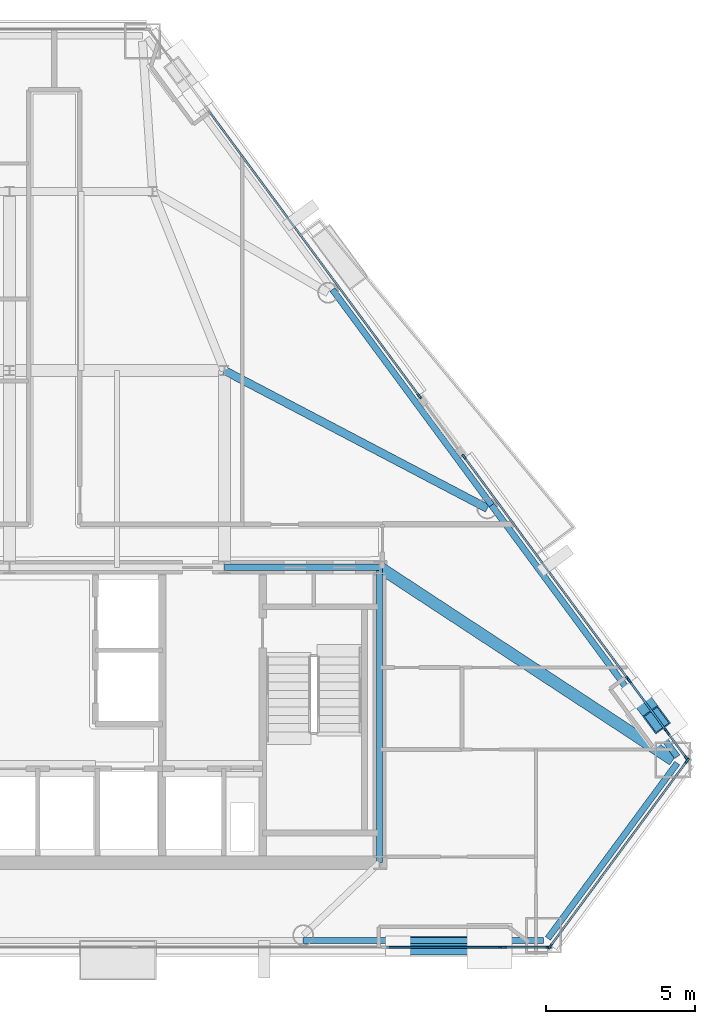
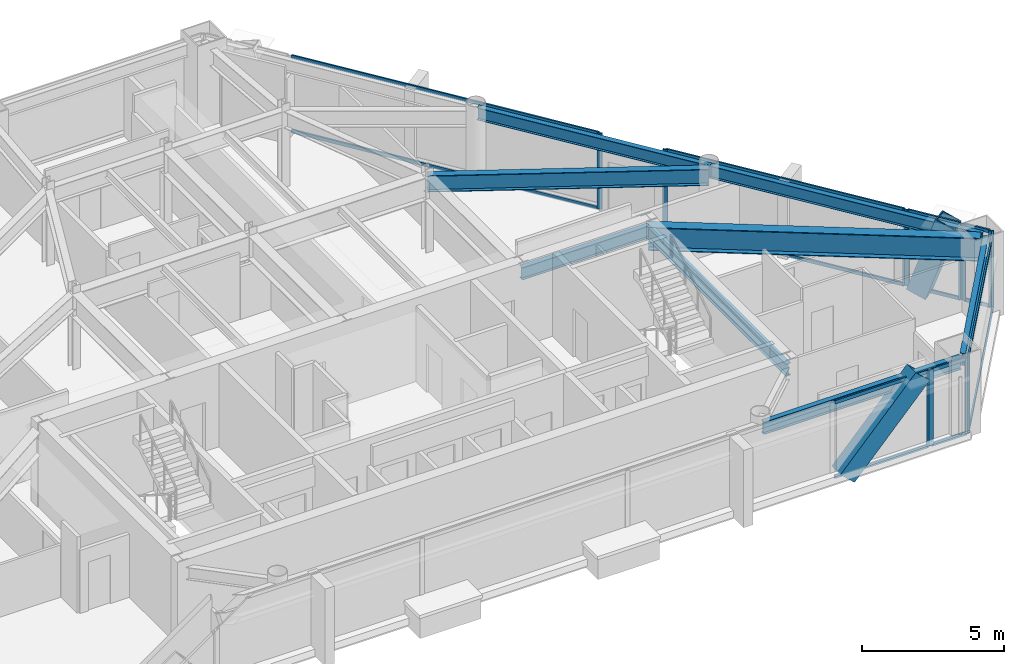
# One storey, part 6 of 12: 28 members, 8 beams, 7 elements without a shape of their own.
"""IFC4 building model written with IfcOpenShell, lengths in metres."""

from ifc_helpers import new_model, si_unit, direction, frame, origin, origin_2d, place, context, subcontext, project, spatial, rectangle, hollow_rectangle, i_section, extrude, material, layer, layer_set, material_profile, profile_set, type_object, element, aggregate, save


model = new_model("IFC4")

# Units and contexts
model_context = context("Model", 3, precision=1e-05, world=origin(), true_north=direction((0.0, 1.0)))
body_context = subcontext(model_context, "Body", "Model", "MODEL_VIEW")
ifc_project = project(units=[si_unit("LENGTHUNIT", "METRE"), si_unit("AREAUNIT", "SQUARE_METRE"), si_unit("VOLUMEUNIT", "CUBIC_METRE"), si_unit("PLANEANGLEUNIT", "RADIAN"), si_unit("MASSUNIT", "GRAM", prefix="KILO")], contexts=[model_context])

# Site, building, storey
site_placement = place(None, origin())
site = spatial("IfcSite", under=ifc_project, at=site_placement, CompositionType="ELEMENT")
building_placement = place(site_placement, origin())
building = spatial("IfcBuilding", under=site, at=building_placement, Name="Talgorran Terracotta Tower", CompositionType="ELEMENT")
storey_placement = place(building_placement, frame((0.0, 0.0, 165.300048828125)))
storey = spatial("IfcBuildingStorey", under=building, at=storey_placement, Name="L43", CompositionType="ELEMENT", Elevation=165.300048828125)

# Beams
ifc_material_1 = material(Name="Steel Grade 350 (350L0)", Category="steel")
ifc_material_profile_1 = material_profile(ifc_material_1, i_section(OverallWidth=0.39990234375, OverallDepth=1.0, WebThickness=0.01611328125, FlangeThickness=0.031005859375, at=origin_2d()), Name="1000WB296")
ifc_profile_set_1 = profile_set([ifc_material_profile_1], Name="Steel Grade 350 (350L0)")
beam_type_1 = type_object("IfcBeamType", Name="BM_1000WB296", PredefinedType="BEAM", material=ifc_profile_set_1)
beam_1_placement = place(storey_placement, frame((12.39990234375, -4.199951171875, 2.780029296875), z_axis=(0.836013696093, -0.548708574696, 0.0), x_axis=(0.548708574696, 0.836013696093, 0.0)))
element("IfcBeam", 1, at=beam_1_placement, inside=storey, type_object=beam_type_1, Name="L43 Floor Girder G18", PredefinedType="BEAM", context=body_context, shape_type="SweptSolid", body=[
    extrude(i_section(OverallWidth=0.39990234375, OverallDepth=1.0, WebThickness=0.01611328125, FlangeThickness=0.031005859375, at=origin_2d()), origin(), (0.0, 0.0, 1.0), 11.76318359375),
])
ifc_material_2 = material(Name="Steel S355 (300PLUS)", Category="steel")
ifc_material_profile_2 = material_profile(ifc_material_2, i_section(OverallWidth=0.27490234375, OverallDepth=0.7080078125, WebThickness=0.011962890625, FlangeThickness=0.02490234375, at=origin_2d()), Name="700WB173")
ifc_profile_set_2 = profile_set([ifc_material_profile_2], Name="Steel S355 (300PLUS)")
beam_type_2 = type_object("IfcBeamType", Name="BM_700WB173", PredefinedType="BEAM", material=ifc_profile_set_2)
beam_2_placement = place(storey_placement, frame((7.199951171875, 2.39990234375, 2.926025390625), z_axis=(0.885527866822, -0.464586264414, 0.0), x_axis=(0.464586264414, 0.885527866822, 0.0)))
element("IfcBeam", 2, at=beam_2_placement, inside=storey, type_object=beam_type_2, Name="L43 Floor Girder G07", PredefinedType="BEAM", context=body_context, shape_type="SweptSolid", body=[
    extrude(i_section(OverallWidth=0.27490234375, OverallDepth=0.7080078125, WebThickness=0.011962890625, FlangeThickness=0.02490234375, at=origin_2d()), origin(), (0.0, 0.0, 1.0), 9.951416015625),
])
ifc_material_profile_3 = material_profile(ifc_material_2, i_section(OverallWidth=0.209228515625, OverallDepth=0.532958984375, WebThickness=0.01025390625, FlangeThickness=0.015625, at=origin_2d()), Name="530UB92.4")
ifc_profile_set_3 = profile_set([ifc_material_profile_3], Name="Steel S355 (300PLUS)")
beam_type_3 = type_object("IfcBeamType", Name="BM_SP_530UB92", PredefinedType="SPANDREL", material=ifc_profile_set_3)
beam_3_placement = place(storey_placement, frame((9.843994140625, -16.7099609375, 3.013427734375), z_axis=(1.0, 0.0, 0.0), x_axis=(0.0, 1.0, 0.0)))
element("IfcBeam", 3, at=beam_3_placement, inside=storey, type_object=beam_type_3, Name="L43 Perimeter Spandrel Beam FC2-MC3", PredefinedType="SPANDREL", context=body_context, shape_type="SweptSolid", body=[
    extrude(i_section(OverallWidth=0.209228515625, OverallDepth=0.532958984375, WebThickness=0.01025390625, FlangeThickness=0.015625, at=origin_2d()), origin(), (0.0, 0.0, 1.0), 8.05419921875),
])
beam_4_placement = place(storey_placement, frame((18.043212890625, -16.636962890625, 3.013427734375), z_axis=(0.593765719161, 0.804637974961, 0.0), x_axis=(-0.804637974961, 0.593765719161, 0.0)))
element("IfcBeam", 4, at=beam_4_placement, inside=storey, type_object=beam_type_3, Name="L43 Perimeter Spandrel Beam MC3-MC4", PredefinedType="SPANDREL", context=body_context, shape_type="SweptSolid", body=[
    extrude(i_section(OverallWidth=0.209228515625, OverallDepth=0.532958984375, WebThickness=0.01025390625, FlangeThickness=0.015625, at=origin_2d()), origin(), (0.0, 0.0, 1.0), 7.302001953125),
])
beam_5_placement = place(storey_placement, frame((22.37890625, -10.547607421875, 3.013427734375), z_axis=(-0.593786218479, 0.804622847516, 0.0), x_axis=(-0.804622847516, -0.593786218479, 0.0)))
element("IfcBeam", 5, at=beam_5_placement, inside=storey, type_object=beam_type_3, Name="L43 Perimeter Spandrel Beam MC4-FC3", PredefinedType="SPANDREL", context=body_context, shape_type="SweptSolid", body=[
    extrude(i_section(OverallWidth=0.209228515625, OverallDepth=0.532958984375, WebThickness=0.01025390625, FlangeThickness=0.015625, at=origin_2d()), origin(), (0.0, 0.0, 1.0), 10.478271484375),
])
beam_6_placement = place(storey_placement, frame((16.156982421875, -2.116455078125, 3.013427734375), z_axis=(-0.593775624387, 0.804630665513, 0.0), x_axis=(-0.804630665513, -0.593775624387, 0.0)))
element("IfcBeam", 6, at=beam_6_placement, inside=storey, type_object=beam_type_3, Name="L43 Perimeter Spandrel Beam FC3-FC4", PredefinedType="SPANDREL", context=body_context, shape_type="SweptSolid", body=[
    extrude(i_section(OverallWidth=0.209228515625, OverallDepth=0.532958984375, WebThickness=0.01025390625, FlangeThickness=0.015625, at=origin_2d()), origin(), (0.0, 0.0, 1.0), 8.9814453125),
])
beam_7_placement = place(storey_placement, frame((12.39990234375, -14.10009765625, 3.013427734375), z_axis=(0.0, 1.0, 0.0), x_axis=(-1.0, 0.0, 0.0)))
element("IfcBeam", 7, at=beam_7_placement, inside=storey, type_object=beam_type_3, Name="L43 Core Frame Beam CFE", PredefinedType="SPANDREL", context=body_context, shape_type="SweptSolid", body=[
    extrude(i_section(OverallWidth=0.209228515625, OverallDepth=0.532958984375, WebThickness=0.01025390625, FlangeThickness=0.015625, at=origin_2d()), origin(), (0.0, 0.0, 1.0), 9.900146484375),
])
beam_8_placement = place(storey_placement, frame((7.199951171875, -4.199951171875, 3.013427734375), z_axis=(1.0, 0.0, 0.0), x_axis=(0.0, 1.0, 0.0)))
element("IfcBeam", 8, at=beam_8_placement, inside=storey, type_object=beam_type_3, Name="L43 Core Frame Beam CFN4", PredefinedType="SPANDREL", context=body_context, shape_type="SweptSolid", body=[
    extrude(i_section(OverallWidth=0.209228515625, OverallDepth=0.532958984375, WebThickness=0.01025390625, FlangeThickness=0.015625, at=origin_2d()), origin(), (0.0, 0.0, 1.0), 5.199951171875),
])

# Members
ifc_material_profile_4 = material_profile(ifc_material_1, hollow_rectangle(XDim=0.6201171875, YDim=0.780029296875, WallThickness=0.0419921875, at=origin_2d()), Name="WBOX780X620X42")
ifc_profile_set_4 = profile_set([ifc_material_profile_4], Name="Steel Grade 350 (350L0)")
member_type_1 = type_object("IfcMemberType", Name="MB_MEGA_780", PredefinedType="BRACE", material=ifc_profile_set_4)
member_1_placement = place(storey_placement, frame((13.017578125, -16.889892578125, -0.025146484375), z_axis=(0.678257727161, 0.0, 0.73482409837), x_axis=(0.0, 1.0, 0.0)))
element("IfcMember", 9, at=member_1_placement, inside=storey, type_object=member_type_1, Name="L43 Exterior Face Mega-Brace MB-2 (SEF)", PredefinedType="BRACE", context=body_context, shape_type="SweptSolid", body=[
    extrude(hollow_rectangle(XDim=0.6201171875, YDim=0.780029296875, WallThickness=0.0419921875, at=origin_2d()), origin(), (0.0, 0.0, 1.0), 4.53173828125),
])
member_2_placement = place(storey_placement, frame((21.021484375, -8.4052734375, -0.025146484375), z_axis=(0.1899778131, -0.257355684657, 0.947457905189), x_axis=(0.804537023237, 0.593902498935, 0.0)))
element("IfcMember", 10, at=member_2_placement, inside=storey, type_object=member_type_1, Name="L43 Exterior Face Mega-Brace MB-2 (NEL)", PredefinedType="BRACE", context=body_context, shape_type="SweptSolid", body=[
    extrude(hollow_rectangle(XDim=0.6201171875, YDim=0.780029296875, WallThickness=0.0419921875, at=origin_2d()), origin(), (0.0, 0.0, 1.0), 3.5146484375),
])

# Curtain wall, member
ifc_material_3 = material(Name="Unitised Low-E Double Glazing", Category="glass")
ifc_layer = layer(ifc_material_3, 0.199951171875, Name="CW_SYS2_RES_LOW")
ifc_layer_set = layer_set([ifc_layer], Name="Unitised Low-E Double Glazing")
curtain_wall_type = type_object("IfcCurtainWallType", Name="CW_SYS2_RES_LOW", PredefinedType="NOTDEFINED", material=ifc_layer_set)
curtain_wall_1_placement = place(storey_placement, origin())
curtain_wall_1 = element("IfcCurtainWall", 11, at=curtain_wall_1_placement, inside=storey, type_object=curtain_wall_type, Name="CW-L43-F1D", PredefinedType="NOTDEFINED")
ifc_material_4 = material(Name="Architectural Aluminium 6063-T6", Category="aluminium")
ifc_material_profile_5 = material_profile(ifc_material_4, rectangle(XDim=0.06494140625, YDim=0.18505859375, at=origin_2d()), Name="CWM65X185")
ifc_profile_set_5 = profile_set([ifc_material_profile_5], Name="Architectural Aluminium 6063-T6")
member_type_2 = type_object("IfcMemberType", Name="MUL_65X185", PredefinedType="MULLION", material=ifc_profile_set_5)
member_3_placement = place(storey_placement, frame((16.490234375, -16.929931640625, 0.0), z_axis=(0.0, 0.0, 1.0), x_axis=(0.0, 1.0, 0.0)))
member_3 = element("IfcMember", 12, at=member_3_placement, type_object=member_type_2, Name="CW-L43-1D mullion 2", PredefinedType="MULLION", context=body_context, shape_type="SweptSolid", body=[
    extrude(rectangle(XDim=0.06494140625, YDim=0.18505859375, at=origin_2d()), origin(), (0.0, 0.0, 1.0), 3.280029296875),
])

# Curtain wall, members
curtain_wall_2_placement = place(storey_placement, origin())
curtain_wall_2 = element("IfcCurtainWall", 13, at=curtain_wall_2_placement, inside=storey, type_object=curtain_wall_type, Name="CW-L43-F1E", PredefinedType="NOTDEFINED")
member_4_placement = place(storey_placement, frame((16.565185546875, -16.929931640625, 0.0), z_axis=(0.0, 0.0, 1.0), x_axis=(0.0, 1.0, 0.0)))
member_4 = element("IfcMember", 14, at=member_4_placement, type_object=member_type_2, Name="CW-L43-1E mullion 1", PredefinedType="MULLION", context=body_context, shape_type="SweptSolid", body=[
    extrude(rectangle(XDim=0.06494140625, YDim=0.18505859375, at=origin_2d()), origin(), (0.0, 0.0, 1.0), 3.280029296875),
])
member_5_placement = place(storey_placement, frame((18.067626953125, -16.929931640625, 0.0), z_axis=(0.0, 0.0, 1.0), x_axis=(0.0, 1.0, 0.0)))
member_5 = element("IfcMember", 15, at=member_5_placement, type_object=member_type_2, Name="CW-L43-1E mullion 2", PredefinedType="MULLION", context=body_context, shape_type="SweptSolid", body=[
    extrude(rectangle(XDim=0.06494140625, YDim=0.18505859375, at=origin_2d()), origin(), (0.0, 0.0, 1.0), 3.280029296875),
])

curtain_wall_3_placement = place(storey_placement, origin())
curtain_wall_3 = element("IfcCurtainWall", 16, at=curtain_wall_3_placement, inside=storey, type_object=curtain_wall_type, Name="CW-L43-F2", PredefinedType="NOTDEFINED")
member_6_placement = place(storey_placement, frame((18.119384765625, -16.90380859375, 0.0), z_axis=(0.0, 0.0, 1.0), x_axis=(-0.804619586401, 0.593790637498, 0.0)))
member_6 = element("IfcMember", 17, at=member_6_placement, type_object=member_type_2, Name="CW-L43-2 mullion 1", PredefinedType="MULLION", context=body_context, shape_type="SweptSolid", body=[
    extrude(rectangle(XDim=0.06494140625, YDim=0.18505859375, at=origin_2d()), origin(), (0.0, 0.0, 1.0), 3.280029296875),
])
member_7_placement = place(storey_placement, frame((22.7119140625, -10.6806640625, 0.0), z_axis=(0.0, 0.0, 1.0), x_axis=(-0.804619586401, 0.593790637498, 0.0)))
member_7 = element("IfcMember", 18, at=member_7_placement, type_object=member_type_2, Name="CW-L43-2 mullion 2", PredefinedType="MULLION", context=body_context, shape_type="SweptSolid", body=[
    extrude(rectangle(XDim=0.06494140625, YDim=0.18505859375, at=origin_2d()), origin(), (0.0, 0.0, 1.0), 3.280029296875),
])

curtain_wall_4_placement = place(storey_placement, origin())
curtain_wall_4 = element("IfcCurtainWall", 19, at=curtain_wall_4_placement, inside=storey, type_object=curtain_wall_type, Name="CW-L43-F40", PredefinedType="NOTDEFINED")
member_8_placement = place(storey_placement, frame((22.688232421875, -10.59619140625, 0.0), z_axis=(0.0, 0.0, 1.0), x_axis=(-0.804602113217, -0.593814313912, 0.0)))
member_8 = element("IfcMember", 20, at=member_8_placement, type_object=member_type_2, Name="CW-L43-40 mullion 1", PredefinedType="MULLION", context=body_context, shape_type="SweptSolid", body=[
    extrude(rectangle(XDim=0.06494140625, YDim=0.18505859375, at=origin_2d()), origin(), (0.0, 0.0, 1.0), 3.280029296875),
])
member_9_placement = place(storey_placement, frame((22.052001953125, -9.734375, 0.0), z_axis=(0.0, 0.0, 1.0), x_axis=(-0.804602113217, -0.593814313912, 0.0)))
member_9 = element("IfcMember", 21, at=member_9_placement, type_object=member_type_2, Name="CW-L43-40 mullion 2", PredefinedType="MULLION", context=body_context, shape_type="SweptSolid", body=[
    extrude(rectangle(XDim=0.06494140625, YDim=0.18505859375, at=origin_2d()), origin(), (0.0, 0.0, 1.0), 3.280029296875),
])

curtain_wall_5_placement = place(storey_placement, origin())
curtain_wall_5 = element("IfcCurtainWall", 22, at=curtain_wall_5_placement, inside=storey, type_object=curtain_wall_type, Name="CW-L43-F40B", PredefinedType="NOTDEFINED")
member_10_placement = place(storey_placement, frame((22.007568359375, -9.673828125, 0.0), z_axis=(0.0, 0.0, 1.0), x_axis=(-0.804623738019, -0.593785011781, 0.0)))
member_10 = element("IfcMember", 23, at=member_10_placement, type_object=member_type_2, Name="CW-L43-40B mullion 1", PredefinedType="MULLION", context=body_context, shape_type="SweptSolid", body=[
    extrude(rectangle(XDim=0.06494140625, YDim=0.18505859375, at=origin_2d()), origin(), (0.0, 0.0, 1.0), 3.280029296875),
])
member_11_placement = place(storey_placement, frame((20.767578125, -7.99365234375, 0.0), z_axis=(0.0, 0.0, 1.0), x_axis=(-0.804623738019, -0.593785011781, 0.0)))
member_11 = element("IfcMember", 24, at=member_11_placement, type_object=member_type_2, Name="CW-L43-40B mullion 2", PredefinedType="MULLION", context=body_context, shape_type="SweptSolid", body=[
    extrude(rectangle(XDim=0.06494140625, YDim=0.18505859375, at=origin_2d()), origin(), (0.0, 0.0, 1.0), 3.280029296875),
])

curtain_wall_6_placement = place(storey_placement, origin())
curtain_wall_6 = element("IfcCurtainWall", 25, at=curtain_wall_6_placement, inside=storey, type_object=curtain_wall_type, Name="CW-L43-F40C", PredefinedType="NOTDEFINED")
member_12_placement = place(storey_placement, frame((20.72314453125, -7.933349609375, 0.0), z_axis=(0.0, 0.0, 1.0), x_axis=(-0.804619046643, -0.593791368899, 0.0)))
member_12 = element("IfcMember", 26, at=member_12_placement, type_object=member_type_2, Name="CW-L43-40C mullion 1", PredefinedType="MULLION", context=body_context, shape_type="SweptSolid", body=[
    extrude(rectangle(XDim=0.06494140625, YDim=0.18505859375, at=origin_2d()), origin(), (0.0, 0.0, 1.0), 3.280029296875),
])
member_13_placement = place(storey_placement, frame((15.23388671875, -0.4951171875, 0.0), z_axis=(0.0, 0.0, 1.0), x_axis=(-0.804619046643, -0.593791368899, 0.0)))
member_13 = element("IfcMember", 27, at=member_13_placement, type_object=member_type_2, Name="CW-L43-40C mullion 2", PredefinedType="MULLION", context=body_context, shape_type="SweptSolid", body=[
    extrude(rectangle(XDim=0.06494140625, YDim=0.18505859375, at=origin_2d()), origin(), (0.0, 0.0, 1.0), 3.280029296875),
])

# Curtain wall, member
curtain_wall_7_placement = place(storey_placement, origin())
curtain_wall_7 = element("IfcCurtainWall", 28, at=curtain_wall_7_placement, inside=storey, type_object=curtain_wall_type, Name="CW-L43-F41", PredefinedType="NOTDEFINED")
member_14_placement = place(storey_placement, frame((13.734619140625, 1.53662109375, 0.0), z_axis=(0.0, 0.0, 1.0), x_axis=(-0.804624135428, -0.593784473262, 0.0)))
member_14 = element("IfcMember", 29, at=member_14_placement, type_object=member_type_2, Name="CW-L43-41 mullion 1", PredefinedType="MULLION", context=body_context, shape_type="SweptSolid", body=[
    extrude(rectangle(XDim=0.06494140625, YDim=0.18505859375, at=origin_2d()), origin(), (0.0, 0.0, 1.0), 3.280029296875),
])

# Member
ifc_material_profile_6 = material_profile(ifc_material_4, rectangle(XDim=0.06494140625, YDim=0.14990234375, at=origin_2d()), Name="CWT65X150")
ifc_profile_set_6 = profile_set([ifc_material_profile_6], Name="Architectural Aluminium 6063-T6")
member_type_3 = type_object("IfcMemberType", Name="TRN_65X150", PredefinedType="USERDEFINED", material=ifc_profile_set_6)
member_15_placement = place(storey_placement, frame((12.65087890625, -16.929931640625, 0.032470703125), z_axis=(1.0, 0.0, 0.0), x_axis=(0.0, 1.0, 0.0)))
member_15 = element("IfcMember", 30, at=member_15_placement, type_object=member_type_3, Name="CW-L43-1D transom 1.1", ObjectType="TRANSOM", PredefinedType="USERDEFINED", context=body_context, shape_type="SweptSolid", body=[
    extrude(rectangle(XDim=0.06494140625, YDim=0.14990234375, at=origin_2d()), origin(), (0.0, 0.0, 1.0), 3.806884765625),
])

member_16_placement = place(storey_placement, frame((12.65087890625, -16.929931640625, 3.24755859375), z_axis=(1.0, 0.0, 0.0), x_axis=(0.0, 1.0, 0.0)))
member_16 = element("IfcMember", 31, at=member_16_placement, type_object=member_type_3, Name="CW-L43-1D transom 1.2", ObjectType="TRANSOM", PredefinedType="USERDEFINED", context=body_context, shape_type="SweptSolid", body=[
    extrude(rectangle(XDim=0.06494140625, YDim=0.14990234375, at=origin_2d()), origin(), (0.0, 0.0, 1.0), 3.806884765625),
])

aggregate(curtain_wall_1, [member_3, member_15, member_16])

member_17_placement = place(storey_placement, frame((16.597900390625, -16.929931640625, 0.032470703125), z_axis=(1.0, 0.0, 0.0), x_axis=(0.0, 1.0, 0.0)))
member_17 = element("IfcMember", 32, at=member_17_placement, type_object=member_type_3, Name="CW-L43-1E transom 1.1", ObjectType="TRANSOM", PredefinedType="USERDEFINED", context=body_context, shape_type="SweptSolid", body=[
    extrude(rectangle(XDim=0.06494140625, YDim=0.14990234375, at=origin_2d()), origin(), (0.0, 0.0, 1.0), 1.437255859375),
])

member_18_placement = place(storey_placement, frame((16.597900390625, -16.929931640625, 3.24755859375), z_axis=(1.0, 0.0, 0.0), x_axis=(0.0, 1.0, 0.0)))
member_18 = element("IfcMember", 33, at=member_18_placement, type_object=member_type_3, Name="CW-L43-1E transom 1.2", ObjectType="TRANSOM", PredefinedType="USERDEFINED", context=body_context, shape_type="SweptSolid", body=[
    extrude(rectangle(XDim=0.06494140625, YDim=0.14990234375, at=origin_2d()), origin(), (0.0, 0.0, 1.0), 1.437255859375),
])

aggregate(curtain_wall_2, [member_4, member_5, member_17, member_18])

member_19_placement = place(storey_placement, frame((18.138916015625, -16.877685546875, 0.032470703125), z_axis=(0.593767901325, 0.804636364674, 0.0), x_axis=(-0.804636364674, 0.593767901325, 0.0)))
member_19 = element("IfcMember", 34, at=member_19_placement, type_object=member_type_3, Name="CW-L43-2 transom 1.1", ObjectType="TRANSOM", PredefinedType="USERDEFINED", context=body_context, shape_type="SweptSolid", body=[
    extrude(rectangle(XDim=0.06494140625, YDim=0.14990234375, at=origin_2d()), origin(), (0.0, 0.0, 1.0), 7.669189453125),
])

member_20_placement = place(storey_placement, frame((18.138916015625, -16.877685546875, 3.24755859375), z_axis=(0.593767901325, 0.804636364674, 0.0), x_axis=(-0.804636364674, 0.593767901325, 0.0)))
member_20 = element("IfcMember", 35, at=member_20_placement, type_object=member_type_3, Name="CW-L43-2 transom 1.2", ObjectType="TRANSOM", PredefinedType="USERDEFINED", context=body_context, shape_type="SweptSolid", body=[
    extrude(rectangle(XDim=0.06494140625, YDim=0.14990234375, at=origin_2d()), origin(), (0.0, 0.0, 1.0), 7.669189453125),
])

aggregate(curtain_wall_3, [member_6, member_7, member_19, member_20])

member_21_placement = place(storey_placement, frame((22.6689453125, -10.570068359375, 0.032470703125), z_axis=(-0.593927082715, 0.804518875116, 0.0), x_axis=(-0.804518875116, -0.593927082715, 0.0)))
member_21 = element("IfcMember", 36, at=member_21_placement, type_object=member_type_3, Name="CW-L43-40 transom 1.1", ObjectType="TRANSOM", PredefinedType="USERDEFINED", context=body_context, shape_type="SweptSolid", body=[
    extrude(rectangle(XDim=0.06494140625, YDim=0.14990234375, at=origin_2d()), origin(), (0.0, 0.0, 1.0), 1.00634765625),
])

member_22_placement = place(storey_placement, frame((22.6689453125, -10.570068359375, 3.24755859375), z_axis=(-0.593927082715, 0.804518875116, 0.0), x_axis=(-0.804518875116, -0.593927082715, 0.0)))
member_22 = element("IfcMember", 37, at=member_22_placement, type_object=member_type_3, Name="CW-L43-40 transom 1.2", ObjectType="TRANSOM", PredefinedType="USERDEFINED", context=body_context, shape_type="SweptSolid", body=[
    extrude(rectangle(XDim=0.06494140625, YDim=0.14990234375, at=origin_2d()), origin(), (0.0, 0.0, 1.0), 1.00634765625),
])

aggregate(curtain_wall_4, [member_8, member_9, member_21, member_22])

member_23_placement = place(storey_placement, frame((21.98828125, -9.647705078125, 0.032470703125), z_axis=(-0.593803940269, 0.804609769094, 0.0), x_axis=(-0.804609769094, -0.593803940269, 0.0)))
member_23 = element("IfcMember", 38, at=member_23_placement, type_object=member_type_3, Name="CW-L43-40B transom 1.1", ObjectType="TRANSOM", PredefinedType="USERDEFINED", context=body_context, shape_type="SweptSolid", body=[
    extrude(rectangle(XDim=0.06494140625, YDim=0.14990234375, at=origin_2d()), origin(), (0.0, 0.0, 1.0), 2.023193359375),
])

member_24_placement = place(storey_placement, frame((21.98828125, -9.647705078125, 3.24755859375), z_axis=(-0.593803940269, 0.804609769094, 0.0), x_axis=(-0.804609769094, -0.593803940269, 0.0)))
member_24 = element("IfcMember", 39, at=member_24_placement, type_object=member_type_3, Name="CW-L43-40B transom 1.2", ObjectType="TRANSOM", PredefinedType="USERDEFINED", context=body_context, shape_type="SweptSolid", body=[
    extrude(rectangle(XDim=0.06494140625, YDim=0.14990234375, at=origin_2d()), origin(), (0.0, 0.0, 1.0), 2.023193359375),
])

aggregate(curtain_wall_5, [member_10, member_11, member_23, member_24])

member_25_placement = place(storey_placement, frame((20.703857421875, -7.9072265625, 0.032470703125), z_axis=(-0.593790396315, 0.804619764388, 0.0), x_axis=(-0.804619764388, -0.593790396315, 0.0)))
member_25 = element("IfcMember", 40, at=member_25_placement, type_object=member_type_3, Name="CW-L43-40C transom 1.1", ObjectType="TRANSOM", PredefinedType="USERDEFINED", context=body_context, shape_type="SweptSolid", body=[
    extrude(rectangle(XDim=0.06494140625, YDim=0.14990234375, at=origin_2d()), origin(), (0.0, 0.0, 1.0), 9.179443359375),
])

member_26_placement = place(storey_placement, frame((20.703857421875, -7.9072265625, 3.24755859375), z_axis=(-0.593790396315, 0.804619764388, 0.0), x_axis=(-0.804619764388, -0.593790396315, 0.0)))
member_26 = element("IfcMember", 41, at=member_26_placement, type_object=member_type_3, Name="CW-L43-40C transom 1.2", ObjectType="TRANSOM", PredefinedType="USERDEFINED", context=body_context, shape_type="SweptSolid", body=[
    extrude(rectangle(XDim=0.06494140625, YDim=0.14990234375, at=origin_2d()), origin(), (0.0, 0.0, 1.0), 9.179443359375),
])

aggregate(curtain_wall_6, [member_12, member_13, member_25, member_26])

member_27_placement = place(storey_placement, frame((13.715087890625, 1.562744140625, 0.032470703125), z_axis=(-0.593779554946, 0.80462776495, 0.0), x_axis=(-0.80462776495, -0.593779554946, 0.0)))
member_27 = element("IfcMember", 42, at=member_27_placement, type_object=member_type_3, Name="CW-L43-41 transom 1.1", ObjectType="TRANSOM", PredefinedType="USERDEFINED", context=body_context, shape_type="SweptSolid", body=[
    extrude(rectangle(XDim=0.06494140625, YDim=0.14990234375, at=origin_2d()), origin(), (0.0, 0.0, 1.0), 11.846435546875),
])

member_28_placement = place(storey_placement, frame((13.715087890625, 1.562744140625, 3.24755859375), z_axis=(-0.593779554946, 0.80462776495, 0.0), x_axis=(-0.80462776495, -0.593779554946, 0.0)))
member_28 = element("IfcMember", 43, at=member_28_placement, type_object=member_type_3, Name="CW-L43-41 transom 1.2", ObjectType="TRANSOM", PredefinedType="USERDEFINED", context=body_context, shape_type="SweptSolid", body=[
    extrude(rectangle(XDim=0.06494140625, YDim=0.14990234375, at=origin_2d()), origin(), (0.0, 0.0, 1.0), 11.846435546875),
])

aggregate(curtain_wall_7, [member_14, member_27, member_28])

save(model, "model.ifc")
